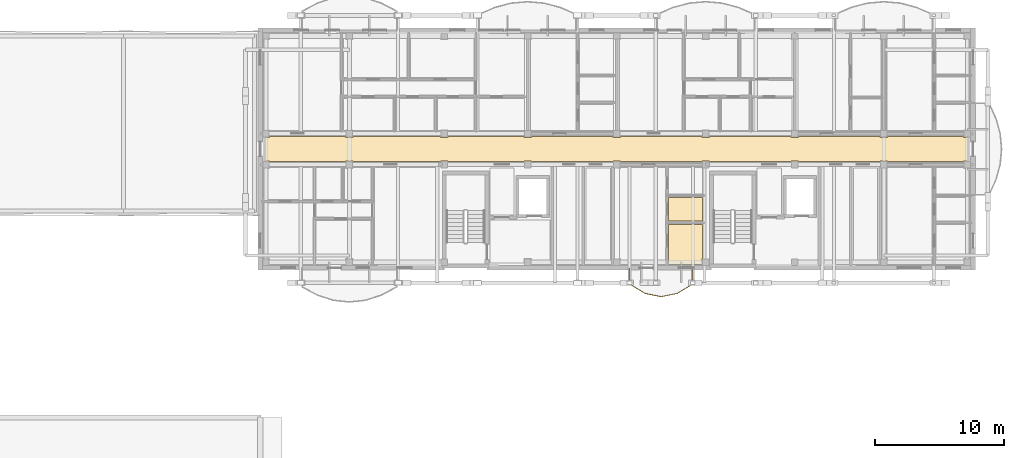
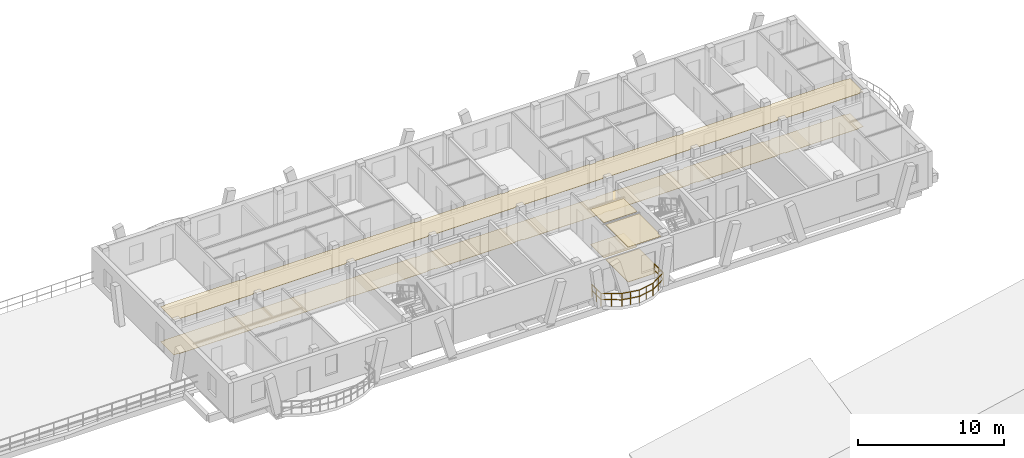
# One storey, part 106 of 109: 6 coverings, 1 railing.
"""IFC4 building model written with IfcOpenShell, lengths in metres."""

from ifc_helpers import new_model, si_unit, direction, frame, origin, origin_2d, place, context, subcontext, project, spatial, polyline, rectangle, outline, extrude, material, layer, layer_set, type_object, element, save


model = new_model("IFC4")

# Units and contexts
model_context = context("Model", 3, precision=1e-05, world=origin(), true_north=direction((0.0, 1.0)))
body_context = subcontext(model_context, "Body", "Model", "MODEL_VIEW")
ifc_project = project(units=[si_unit("LENGTHUNIT", "METRE"), si_unit("AREAUNIT", "SQUARE_METRE"), si_unit("VOLUMEUNIT", "CUBIC_METRE"), si_unit("PLANEANGLEUNIT", "RADIAN"), si_unit("MASSUNIT", "GRAM", prefix="KILO")], contexts=[model_context])

# Site, building, storey
site_placement = place(None, origin())
site = spatial("IfcSite", under=ifc_project, at=site_placement, CompositionType="ELEMENT")
building_placement = place(site_placement, origin())
building = spatial("IfcBuilding", under=site, at=building_placement, Name="Zavelmont Quarter", CompositionType="ELEMENT")
storey_placement = place(building_placement, frame((0.0, 0.0, 8.0)))
storey = spatial("IfcBuildingStorey", under=building, at=storey_placement, Name="L02", CompositionType="ELEMENT", Elevation=8.0)

# Coverings
ifc_material_1 = material(Name="Perforated acoustic gypsum board")
ifc_layer_1 = layer(ifc_material_1, 0.02490234375)
ifc_layer_set_1 = layer_set([ifc_layer_1], Name="Perforated acoustic gypsum board")
covering_type_1 = type_object("IfcCoveringType", Name="CV-CL01", PredefinedType="CEILING", material=ifc_layer_set_1)
covering_1_placement = place(storey_placement, frame((0.0, 0.0, 2.9150390625)))
element("IfcCovering", 1, at=covering_1_placement, inside=storey, type_object=covering_type_1, Name="L02 Residential Corridor acoustic ceiling", PredefinedType="CEILING", context=body_context, shape_type="SweptSolid", body=[
    extrude(outline(polyline([(113.179931640625, 107.7099609375), (113.530029296875, 107.7099609375), (113.530029296875, 107.77001953125), (119.409912109375, 107.77001953125), (119.409912109375, 107.7099609375), (119.989990234375, 107.7099609375), (119.989990234375, 107.77001953125), (126.75, 107.77001953125), (126.75, 107.7099609375), (127.330078125, 107.7099609375), (127.330078125, 107.77001953125), (133.2099609375, 107.77001953125), (133.2099609375, 107.7099609375), (133.7900390625, 107.7099609375), (133.7900390625, 107.77001953125), (140.110107421875, 107.77001953125), (140.110107421875, 107.7099609375), (140.68994140625, 107.7099609375), (140.68994140625, 107.77001953125), (147.010009765625, 107.77001953125), (147.010009765625, 107.7099609375), (147.590087890625, 107.7099609375), (147.590087890625, 107.77001953125), (153.909912109375, 107.77001953125), (153.909912109375, 107.7099609375), (154.489990234375, 107.7099609375), (154.489990234375, 107.77001953125), (160.81005859375, 107.77001953125), (160.81005859375, 107.7099609375), (161.389892578125, 107.7099609375), (161.389892578125, 107.77001953125), (167.27001953125, 107.77001953125), (167.27001953125, 107.7099609375), (167.6201171875, 107.7099609375), (167.6201171875, 105.889892578125), (167.27001953125, 105.889892578125), (167.27001953125, 105.830078125), (161.389892578125, 105.830078125), (161.389892578125, 105.889892578125), (160.81005859375, 105.889892578125), (160.81005859375, 105.830078125), (154.489990234375, 105.830078125), (154.489990234375, 105.889892578125), (153.909912109375, 105.889892578125), (153.909912109375, 105.830078125), (147.590087890625, 105.830078125), (147.590087890625, 105.889892578125), (147.010009765625, 105.889892578125), (147.010009765625, 105.830078125), (140.68994140625, 105.830078125), (140.68994140625, 105.889892578125), (140.110107421875, 105.889892578125), (140.110107421875, 105.830078125), (133.7900390625, 105.830078125), (133.7900390625, 105.889892578125), (133.2099609375, 105.889892578125), (133.2099609375, 105.830078125), (127.330078125, 105.830078125), (127.330078125, 105.889892578125), (126.75, 105.889892578125), (126.75, 105.830078125), (119.989990234375, 105.830078125), (119.989990234375, 105.889892578125), (119.409912109375, 105.889892578125), (119.409912109375, 105.830078125), (113.530029296875, 105.830078125), (113.530029296875, 105.889892578125), (113.179931640625, 105.889892578125), (113.179931640625, 107.7099609375)])), origin(), (0.0, 0.0, 1.0), 0.02490234375),
])
covering_2_placement = place(storey_placement, frame((0.0, 0.0, 2.9150390625)))
element("IfcCovering", 2, at=covering_2_placement, inside=storey, type_object=covering_type_1, Name="L02 Single Bedroom acoustic ceiling", PredefinedType="CEILING", context=body_context, shape_type="SweptSolid", body=[
    extrude(outline(polyline([(144.429931640625, 100.969970703125), (147.070068359375, 100.969970703125), (147.070068359375, 98.330078125), (147.010009765625, 98.330078125), (147.010009765625, 97.8798828125), (144.429931640625, 97.8798828125), (144.429931640625, 100.969970703125)])), origin(), (0.0, 0.0, 1.0), 0.02490234375),
])
ifc_material_2 = material(Name="Moisture-resistant painted gypsum ceiling")
ifc_layer_2 = layer(ifc_material_2, 0.02001953125)
ifc_layer_set_2 = layer_set([ifc_layer_2], Name="Moisture-resistant painted gypsum ceiling")
covering_type_2 = type_object("IfcCoveringType", Name="CV-CL04", PredefinedType="CEILING", material=ifc_layer_set_2)
covering_3_placement = place(storey_placement, frame((0.0, 0.0, 2.919921875)))
element("IfcCovering", 3, at=covering_3_placement, inside=storey, type_object=covering_type_2, Name="L02 Bathroom acoustic ceiling", PredefinedType="CEILING", context=body_context, shape_type="SweptSolid", body=[
    extrude(outline(polyline([(144.429931640625, 103.070068359375), (147.070068359375, 103.070068359375), (147.070068359375, 101.22998046875), (144.429931640625, 101.22998046875), (144.429931640625, 103.070068359375)])), origin(), (0.0, 0.0, 1.0), 0.02001953125),
])
ifc_material_3 = material(Name="Engineered European oak parquet")
ifc_layer_3 = layer(ifc_material_3, 0.02197265625)
ifc_layer_set_3 = layer_set([ifc_layer_3], Name="Engineered European oak parquet")
covering_type_3 = type_object("IfcCoveringType", Name="CV-FL01", PredefinedType="FLOORING", material=ifc_layer_set_3)
covering_4_placement = place(storey_placement, origin())
element("IfcCovering", 4, at=covering_4_placement, inside=storey, type_object=covering_type_3, Name="L02 Residential Corridor floor finish", PredefinedType="FLOORING", context=body_context, shape_type="SweptSolid", body=[
    extrude(outline(polyline([(113.179931640625, 107.7099609375), (113.530029296875, 107.7099609375), (113.530029296875, 107.77001953125), (119.409912109375, 107.77001953125), (119.409912109375, 107.7099609375), (119.989990234375, 107.7099609375), (119.989990234375, 107.77001953125), (126.75, 107.77001953125), (126.75, 107.7099609375), (127.330078125, 107.7099609375), (127.330078125, 107.77001953125), (133.2099609375, 107.77001953125), (133.2099609375, 107.7099609375), (133.7900390625, 107.7099609375), (133.7900390625, 107.77001953125), (140.110107421875, 107.77001953125), (140.110107421875, 107.7099609375), (140.68994140625, 107.7099609375), (140.68994140625, 107.77001953125), (147.010009765625, 107.77001953125), (147.010009765625, 107.7099609375), (147.590087890625, 107.7099609375), (147.590087890625, 107.77001953125), (153.909912109375, 107.77001953125), (153.909912109375, 107.7099609375), (154.489990234375, 107.7099609375), (154.489990234375, 107.77001953125), (160.81005859375, 107.77001953125), (160.81005859375, 107.7099609375), (161.389892578125, 107.7099609375), (161.389892578125, 107.77001953125), (167.27001953125, 107.77001953125), (167.27001953125, 107.7099609375), (167.6201171875, 107.7099609375), (167.6201171875, 105.889892578125), (167.27001953125, 105.889892578125), (167.27001953125, 105.830078125), (161.389892578125, 105.830078125), (161.389892578125, 105.889892578125), (160.81005859375, 105.889892578125), (160.81005859375, 105.830078125), (154.489990234375, 105.830078125), (154.489990234375, 105.889892578125), (153.909912109375, 105.889892578125), (153.909912109375, 105.830078125), (147.590087890625, 105.830078125), (147.590087890625, 105.889892578125), (147.010009765625, 105.889892578125), (147.010009765625, 105.830078125), (140.68994140625, 105.830078125), (140.68994140625, 105.889892578125), (140.110107421875, 105.889892578125), (140.110107421875, 105.830078125), (133.7900390625, 105.830078125), (133.7900390625, 105.889892578125), (133.2099609375, 105.889892578125), (133.2099609375, 105.830078125), (127.330078125, 105.830078125), (127.330078125, 105.889892578125), (126.75, 105.889892578125), (126.75, 105.830078125), (119.989990234375, 105.830078125), (119.989990234375, 105.889892578125), (119.409912109375, 105.889892578125), (119.409912109375, 105.830078125), (113.530029296875, 105.830078125), (113.530029296875, 105.889892578125), (113.179931640625, 105.889892578125), (113.179931640625, 107.7099609375)])), origin(), (0.0, 0.0, 1.0), 0.02197265625),
])
covering_5_placement = place(storey_placement, origin())
element("IfcCovering", 5, at=covering_5_placement, inside=storey, type_object=covering_type_3, Name="L02 Single Bedroom floor finish", PredefinedType="FLOORING", context=body_context, shape_type="SweptSolid", body=[
    extrude(outline(polyline([(144.429931640625, 100.969970703125), (147.070068359375, 100.969970703125), (147.070068359375, 98.330078125), (147.010009765625, 98.330078125), (147.010009765625, 97.8798828125), (144.429931640625, 97.8798828125), (144.429931640625, 100.969970703125)])), origin(), (0.0, 0.0, 1.0), 0.02197265625),
])
ifc_material_4 = material(Name="Slip-resistant porcelain tile")
ifc_layer_4 = layer(ifc_material_4, 0.02587890625)
ifc_layer_set_4 = layer_set([ifc_layer_4], Name="Slip-resistant porcelain tile")
covering_type_4 = type_object("IfcCoveringType", Name="CV-FL04", PredefinedType="FLOORING", material=ifc_layer_set_4)
covering_6_placement = place(storey_placement, origin())
element("IfcCovering", 6, at=covering_6_placement, inside=storey, type_object=covering_type_4, Name="L02 Bathroom floor finish", PredefinedType="FLOORING", context=body_context, shape_type="SweptSolid", body=[
    extrude(outline(polyline([(144.429931640625, 103.070068359375), (147.070068359375, 103.070068359375), (147.070068359375, 101.22998046875), (144.429931640625, 101.22998046875), (144.429931640625, 103.070068359375)])), origin(), (0.0, 0.0, 1.0), 0.02587890625),
])

# Railing
ifc_material_5 = material(Name="Powder-coated steel and tempered double safety glass", Category="steel")
railing_type = type_object("IfcRailingType", Name="RL-BAL1", PredefinedType="BALUSTRADE", material=ifc_material_5)
railing_placement = place(storey_placement, frame((141.3916015625, 97.580078125, 0.0)))
element("IfcRailing", 7, at=railing_placement, inside=storey, type_object=railing_type, Name="L02 Block C curved balcony guard RL-BAL1", PredefinedType="BALUSTRADE", context=body_context, shape_type="SweptSolid", body=[
    extrude(rectangle(XDim=0.048095703125, YDim=0.048095703125, at=origin_2d()), frame((0.0, 0.0, 1.076171875), z_axis=(0.0, -1.0, 0.0), x_axis=(1.0, 0.0, 0.0)), (0.0, 0.0, 1.0), 1.23095703125),
    extrude(rectangle(XDim=0.048095703125, YDim=0.048095703125, at=origin_2d()), frame((0.0, 0.0, 0.550048828125), z_axis=(0.0, -1.0, 0.0), x_axis=(1.0, 0.0, 0.0)), (0.0, 0.0, 1.0), 1.23095703125),
    extrude(rectangle(XDim=0.048095703125, YDim=0.048095703125, at=origin_2d()), frame((0.0, -1.23095703125, 1.076171875), z_axis=(0.857568058345, -0.514370513645, 0.0), x_axis=(0.514370513645, 0.857568058345, 0.0)), (0.0, 0.0, 1.0), 1.433349609375),
    extrude(rectangle(XDim=0.048095703125, YDim=0.048095703125, at=origin_2d()), frame((0.0, -1.23095703125, 0.550048828125), z_axis=(0.857568058345, -0.514370513645, 0.0), x_axis=(0.514370513645, 0.857568058345, 0.0)), (0.0, 0.0, 1.0), 1.433349609375),
    extrude(rectangle(XDim=0.048095703125, YDim=0.048095703125, at=origin_2d()), frame((1.229248046875, -1.96826171875, 1.076171875), z_axis=(0.980580675691, -0.196116135138, 0.0), x_axis=(0.196116135138, 0.980580675691, 0.0)), (0.0, 0.0, 1.0), 1.253662109375),
    extrude(rectangle(XDim=0.048095703125, YDim=0.048095703125, at=origin_2d()), frame((1.229248046875, -1.96826171875, 0.550048828125), z_axis=(0.980580675691, -0.196116135138, 0.0), x_axis=(0.196116135138, 0.980580675691, 0.0)), (0.0, 0.0, 1.0), 1.253662109375),
    extrude(rectangle(XDim=0.048095703125, YDim=0.048095703125, at=origin_2d()), frame((2.45849609375, -2.214111328125, 1.076171875), z_axis=(0.98057318305, 0.196153594623, 0.0), x_axis=(-0.196153594623, 0.98057318305, 0.0)), (0.0, 0.0, 1.0), 1.25341796875),
    extrude(rectangle(XDim=0.048095703125, YDim=0.048095703125, at=origin_2d()), frame((2.45849609375, -2.214111328125, 0.550048828125), z_axis=(0.98057318305, 0.196153594623, 0.0), x_axis=(-0.196153594623, 0.98057318305, 0.0)), (0.0, 0.0, 1.0), 1.25341796875),
    extrude(rectangle(XDim=0.048095703125, YDim=0.048095703125, at=origin_2d()), frame((3.6875, -1.96826171875, 1.076171875), z_axis=(0.857568058345, 0.514370513645, 0.0), x_axis=(-0.514370513645, 0.857568058345, 0.0)), (0.0, 0.0, 1.0), 1.433349609375),
    extrude(rectangle(XDim=0.048095703125, YDim=0.048095703125, at=origin_2d()), frame((3.6875, -1.96826171875, 0.550048828125), z_axis=(0.857568058345, 0.514370513645, 0.0), x_axis=(-0.514370513645, 0.857568058345, 0.0)), (0.0, 0.0, 1.0), 1.433349609375),
    extrude(rectangle(XDim=0.048095703125, YDim=0.048095703125, at=origin_2d()), frame((4.916748046875, -1.23095703125, 1.076171875), z_axis=(0.0, 1.0, 0.0), x_axis=(-1.0, 0.0, 0.0)), (0.0, 0.0, 1.0), 1.23095703125),
    extrude(rectangle(XDim=0.048095703125, YDim=0.048095703125, at=origin_2d()), frame((4.916748046875, -1.23095703125, 0.550048828125), z_axis=(0.0, 1.0, 0.0), x_axis=(-1.0, 0.0, 0.0)), (0.0, 0.0, 1.0), 1.23095703125),
    extrude(rectangle(XDim=0.0419921875, YDim=0.0419921875, at=origin_2d()), origin(), (0.0, 0.0, 1.0), 1.052001953125),
    extrude(rectangle(XDim=0.0419921875, YDim=0.0419921875, at=origin_2d()), frame((0.0, -0.615478515625, 0.0)), (0.0, 0.0, 1.0), 1.052001953125),
    extrude(rectangle(XDim=0.0419921875, YDim=0.0419921875, at=origin_2d()), frame((0.0, -1.23095703125, 0.0)), (0.0, 0.0, 1.0), 1.052001953125),
    extrude(rectangle(XDim=0.0419921875, YDim=0.0419921875, at=origin_2d()), frame((0.61474609375, -1.599609375, 0.0)), (0.0, 0.0, 1.0), 1.052001953125),
    extrude(rectangle(XDim=0.0419921875, YDim=0.0419921875, at=origin_2d()), frame((1.229248046875, -1.96826171875, 0.0)), (0.0, 0.0, 1.0), 1.052001953125),
    extrude(rectangle(XDim=0.0419921875, YDim=0.0419921875, at=origin_2d()), frame((1.84375, -2.09130859375, 0.0)), (0.0, 0.0, 1.0), 1.052001953125),
    extrude(rectangle(XDim=0.0419921875, YDim=0.0419921875, at=origin_2d()), frame((2.45849609375, -2.214111328125, 0.0)), (0.0, 0.0, 1.0), 1.052001953125),
    extrude(rectangle(XDim=0.0419921875, YDim=0.0419921875, at=origin_2d()), frame((3.072998046875, -2.09130859375, 0.0)), (0.0, 0.0, 1.0), 1.052001953125),
    extrude(rectangle(XDim=0.0419921875, YDim=0.0419921875, at=origin_2d()), frame((3.6875, -1.96826171875, 0.0)), (0.0, 0.0, 1.0), 1.052001953125),
    extrude(rectangle(XDim=0.0419921875, YDim=0.0419921875, at=origin_2d()), frame((4.30224609375, -1.599609375, 0.0)), (0.0, 0.0, 1.0), 1.052001953125),
    extrude(rectangle(XDim=0.0419921875, YDim=0.0419921875, at=origin_2d()), frame((4.916748046875, -1.23095703125, 0.0)), (0.0, 0.0, 1.0), 1.052001953125),
    extrude(rectangle(XDim=0.0419921875, YDim=0.0419921875, at=origin_2d()), frame((4.916748046875, -0.615478515625, 0.0)), (0.0, 0.0, 1.0), 1.052001953125),
    extrude(rectangle(XDim=0.0419921875, YDim=0.0419921875, at=origin_2d()), frame((4.916748046875, 0.0, 0.0)), (0.0, 0.0, 1.0), 1.052001953125),
])

save(model, "model.ifc")
